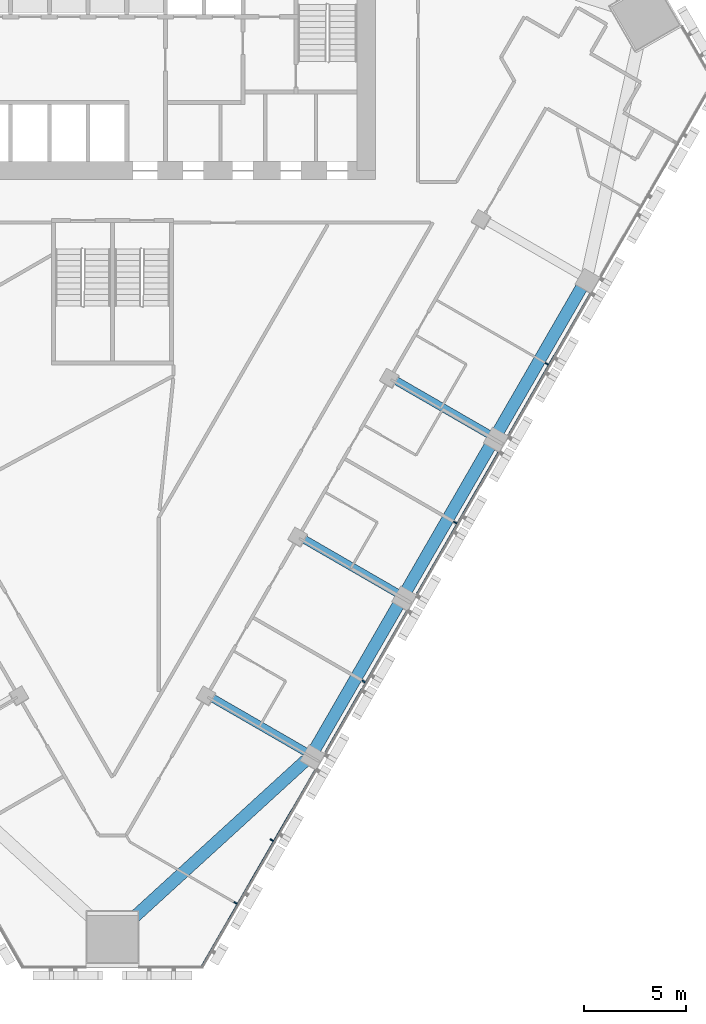
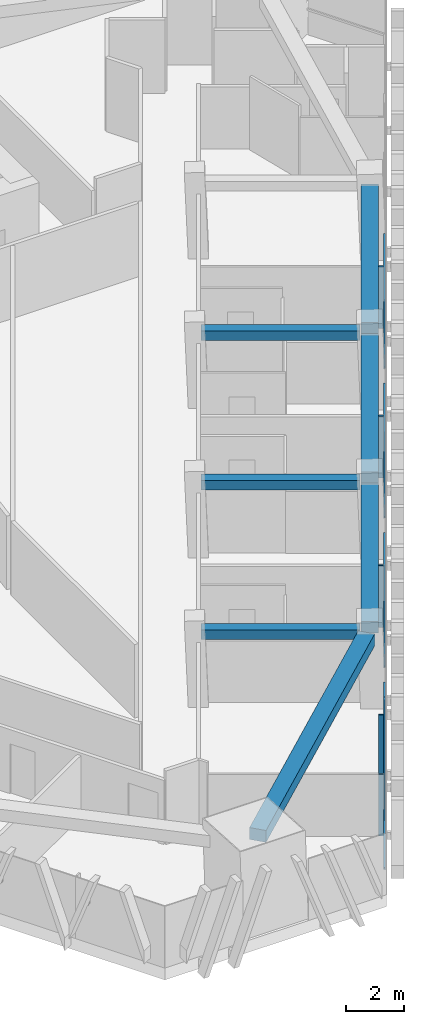
# One storey, part 4 of 16: 9 members, 7 beams, 1 element without a shape of its own.
"""IFC4 building model written with IfcOpenShell, lengths in metres."""

from ifc_helpers import new_model, si_unit, direction, frame, origin, origin_2d, place, context, subcontext, project, spatial, rectangle, extrude, material, layer, layer_set, material_profile, profile_set, type_object, element, aggregate, save


model = new_model("IFC4")

# Units and contexts
model_context = context("Model", 3, precision=1e-05, world=origin(), true_north=direction((0.0, 1.0)))
body_context = subcontext(model_context, "Body", "Model", "MODEL_VIEW")
ifc_project = project(units=[si_unit("LENGTHUNIT", "METRE"), si_unit("AREAUNIT", "SQUARE_METRE"), si_unit("VOLUMEUNIT", "CUBIC_METRE"), si_unit("PLANEANGLEUNIT", "RADIAN"), si_unit("MASSUNIT", "GRAM", prefix="KILO")], contexts=[model_context])

# Site, building, storey
site_placement = place(None, origin())
site = spatial("IfcSite", under=ifc_project, at=site_placement, CompositionType="ELEMENT")
building_placement = place(site_placement, origin())
building = spatial("IfcBuilding", under=site, at=building_placement, Name="Altiplano Prism Tower", CompositionType="ELEMENT")
storey_placement = place(building_placement, frame((0.0, 0.0, 81.0)))
storey = spatial("IfcBuildingStorey", under=building, at=storey_placement, Name="L20", CompositionType="ELEMENT", Elevation=81.0)

# Curtain wall, members
ifc_material_1 = material(Name="Aluminium and glass", Category="aluminium")
ifc_layer = layer(ifc_material_1, 0.280029296875)
ifc_layer_set = layer_set([ifc_layer], Name="Aluminium and glass")
curtain_wall_type = type_object("IfcCurtainWallType", Name="CW1 typical co-living unitised curtain wall", PredefinedType="NOTDEFINED", material=ifc_layer_set)
curtain_wall_placement = place(storey_placement, origin())
curtain_wall = element("IfcCurtainWall", 1, at=curtain_wall_placement, inside=storey, type_object=curtain_wall_type, Name="CW1 curtain wall south-east face L20", PredefinedType="NOTDEFINED")
ifc_material_2 = material(Name="Aluminium", Category="aluminium")
ifc_material_profile_1 = material_profile(ifc_material_2, rectangle(XDim=0.179931640625, YDim=0.06494140625, at=origin_2d()), Name="CW1 mullion 65 x 180")
ifc_profile_set_1 = profile_set([ifc_material_profile_1], Name="Aluminium")
member_type_1 = type_object("IfcMemberType", Name="CW1 mullion 65 x 180", PredefinedType="MULLION", material=ifc_profile_set_1)
member_1_placement = place(storey_placement, frame((91.040283203125, 56.998291015625, 0.0), z_axis=(0.0, 0.0, 1.0), x_axis=(-0.866025400215, 0.500000006182, 0.0)))
member_1 = element("IfcMember", 2, at=member_1_placement, type_object=member_type_1, Name="CW1 mullion", PredefinedType="MULLION", context=body_context, shape_type="SweptSolid", body=[
    extrude(rectangle(XDim=0.179931640625, YDim=0.06494140625, at=origin_2d()), origin(), (0.0, 0.0, 1.0), 2.60009765625),
])
member_2_placement = place(storey_placement, frame((92.822021484375, 60.084716796875, 0.0), z_axis=(0.0, 0.0, 1.0), x_axis=(-0.866025400215, 0.500000006182, 0.0)))
member_2 = element("IfcMember", 3, at=member_2_placement, type_object=member_type_1, Name="CW1 mullion", PredefinedType="MULLION", context=body_context, shape_type="SweptSolid", body=[
    extrude(rectangle(XDim=0.179931640625, YDim=0.06494140625, at=origin_2d()), origin(), (0.0, 0.0, 1.0), 2.60009765625),
])
member_3_placement = place(storey_placement, frame((97.322021484375, 67.87890625, 0.0), z_axis=(0.0, 0.0, 1.0), x_axis=(-0.866025400215, 0.500000006182, 0.0)))
member_3 = element("IfcMember", 4, at=member_3_placement, type_object=member_type_1, Name="CW1 mullion", PredefinedType="MULLION", context=body_context, shape_type="SweptSolid", body=[
    extrude(rectangle(XDim=0.179931640625, YDim=0.06494140625, at=origin_2d()), origin(), (0.0, 0.0, 1.0), 2.60009765625),
])
member_4_placement = place(storey_placement, frame((101.822021484375, 75.673095703125, 0.0), z_axis=(0.0, 0.0, 1.0), x_axis=(-0.866025400215, 0.500000006182, 0.0)))
member_4 = element("IfcMember", 5, at=member_4_placement, type_object=member_type_1, Name="CW1 mullion", PredefinedType="MULLION", context=body_context, shape_type="SweptSolid", body=[
    extrude(rectangle(XDim=0.179931640625, YDim=0.06494140625, at=origin_2d()), origin(), (0.0, 0.0, 1.0), 2.60009765625),
])
member_5_placement = place(storey_placement, frame((106.322021484375, 83.467529296875, 0.0), z_axis=(0.0, 0.0, 1.0), x_axis=(-0.866025400215, 0.500000006182, 0.0)))
member_5 = element("IfcMember", 6, at=member_5_placement, type_object=member_type_1, Name="CW1 mullion", PredefinedType="MULLION", context=body_context, shape_type="SweptSolid", body=[
    extrude(rectangle(XDim=0.179931640625, YDim=0.06494140625, at=origin_2d()), origin(), (0.0, 0.0, 1.0), 2.60009765625),
])
ifc_material_profile_2 = material_profile(ifc_material_2, rectangle(XDim=0.06005859375, YDim=0.080078125, at=origin_2d()), Name="CW1 transom 80 x 60")
ifc_profile_set_2 = profile_set([ifc_material_profile_2], Name="Aluminium")
member_type_2 = type_object("IfcMemberType", Name="CW1 transom 80 x 60", PredefinedType="USERDEFINED", material=ifc_profile_set_2)
member_6_placement = place(storey_placement, frame((89.362060546875, 53.851806640625, 1.10009765625), z_axis=(0.500003547166, 0.866023355818, 0.0), x_axis=(-0.866023355818, 0.500003547166, 0.0)))
member_6 = element("IfcMember", 7, at=member_6_placement, type_object=member_type_2, Name="CW1 transom", ObjectType="TRANSOM", PredefinedType="USERDEFINED", context=body_context, shape_type="SweptSolid", body=[
    extrude(rectangle(XDim=0.06005859375, YDim=0.080078125, at=origin_2d()), origin(), (0.0, 0.0, 1.0), 11.17724609375),
])
member_7_placement = place(storey_placement, frame((95.44091796875, 64.38037109375, 1.10009765625), z_axis=(0.499989486807, 0.866031473494, 0.0), x_axis=(-0.866031473494, 0.499989486807, 0.0)))
member_7 = element("IfcMember", 8, at=member_7_placement, type_object=member_type_2, Name="CW1 transom", ObjectType="TRANSOM", PredefinedType="USERDEFINED", context=body_context, shape_type="SweptSolid", body=[
    extrude(rectangle(XDim=0.06005859375, YDim=0.080078125, at=origin_2d()), origin(), (0.0, 0.0, 1.0), 8.019775390625),
])
member_8_placement = place(storey_placement, frame((99.94091796875, 72.174560546875, 1.10009765625), z_axis=(0.499976305243, 0.866039083527, 0.0), x_axis=(-0.866039083527, 0.499976305243, 0.0)))
member_8 = element("IfcMember", 9, at=member_8_placement, type_object=member_type_2, Name="CW1 transom", ObjectType="TRANSOM", PredefinedType="USERDEFINED", context=body_context, shape_type="SweptSolid", body=[
    extrude(rectangle(XDim=0.06005859375, YDim=0.080078125, at=origin_2d()), origin(), (0.0, 0.0, 1.0), 8.02001953125),
])
member_9_placement = place(storey_placement, frame((104.44091796875, 79.96875, 1.10009765625), z_axis=(0.499976305243, 0.866039083527, 0.0), x_axis=(-0.866039083527, 0.499976305243, 0.0)))
member_9 = element("IfcMember", 10, at=member_9_placement, type_object=member_type_2, Name="CW1 transom", ObjectType="TRANSOM", PredefinedType="USERDEFINED", context=body_context, shape_type="SweptSolid", body=[
    extrude(rectangle(XDim=0.06005859375, YDim=0.080078125, at=origin_2d()), origin(), (0.0, 0.0, 1.0), 8.02001953125),
])
aggregate(curtain_wall, [member_1, member_2, member_6, member_3, member_7, member_4, member_8, member_5, member_9])

# Beams
ifc_material_3 = material(Name="Concrete C60/75", Category="concrete")
ifc_material_profile_3 = material_profile(ifc_material_3, rectangle(XDim=0.60009765625, YDim=0.5, at=origin_2d()), Name="Edge beam 600x500")
ifc_profile_set_3 = profile_set([ifc_material_profile_3], Name="Concrete C60/75")
beam_type_1 = type_object("IfcBeamType", Name="Edge beam 600x500", PredefinedType="SPANDREL", material=ifc_profile_set_3)
beam_1_placement = place(storey_placement, frame((85.332275390625, 55.630615234375, 2.85009765625), z_axis=(0.738271950519, 0.674503170546, 0.0), x_axis=(-0.674503170546, 0.738271950519, 0.0)))
element("IfcBeam", 11, at=beam_1_placement, inside=storey, type_object=beam_type_1, Name="Edge beam M1-P21 L21", PredefinedType="SPANDREL", context=body_context, shape_type="SweptSolid", body=[
    extrude(rectangle(XDim=0.60009765625, YDim=0.5, at=origin_2d()), origin(), (0.0, 0.0, 1.0), 12.427490234375),
])
for number, where, z_axis, x_axis, name in (
    (12, (94.931884765625, 64.5361328125, 2.85009765625), (0.500014701701, 0.866016915587, 0.0), (-0.866016915587, 0.500014701701, 0.0), "Edge beam P21-P22 L21"),
    (13, (99.431884765625, 72.330322265625, 2.85009765625), (0.500014701701, 0.866016915587, 0.0), (-0.866016915587, 0.500014701701, 0.0), "Edge beam P22-P23 L21"),
    (14, (103.931884765625, 80.124755859375, 2.85009765625), (0.500014701701, 0.866016915587, 0.0), (-0.866016915587, 0.500014701701, 0.0), "Edge beam P23-P24 L21"),
):
    element("IfcBeam", number, at=place(storey_placement, frame(where, z_axis=z_axis, x_axis=x_axis)), inside=storey, type_object=beam_type_1, Name=name, PredefinedType="SPANDREL", context=body_context, shape_type="SweptSolid", body=[
        extrude(rectangle(XDim=0.60009765625, YDim=0.5, at=origin_2d()), origin(), (0.0, 0.0, 1.0), 8.340087890625),
    ])
ifc_material_profile_4 = material_profile(ifc_material_3, rectangle(XDim=0.39990234375, YDim=0.39990234375, at=origin_2d()), Name="Tie beam 400x400")
ifc_profile_set_4 = profile_set([ifc_material_profile_4], Name="Concrete C60/75")
beam_type_2 = type_object("IfcBeamType", Name="Tie beam 400x400", PredefinedType="BEAM", material=ifc_profile_set_4)
beam_2_placement = place(storey_placement, frame((89.726806640625, 67.160400390625, 2.89990234375), z_axis=(0.866012292785, -0.50002270823, 0.0), x_axis=(0.50002270823, 0.866012292785, 0.0)))
element("IfcBeam", 15, at=beam_2_placement, inside=storey, type_object=beam_type_2, Name="Tie beam I21 L21", PredefinedType="BEAM", context=body_context, shape_type="SweptSolid", body=[
    extrude(rectangle(XDim=0.39990234375, YDim=0.39990234375, at=origin_2d()), origin(), (0.0, 0.0, 1.0), 5.489990234375),
])
for number, where, z_axis, x_axis, name in (
    (16, (94.226806640625, 74.95458984375, 2.89990234375), (0.866031549307, -0.499989355492, 0.0), (0.499989355492, 0.866031549307, 0.0), "Tie beam I22 L21"),
    (17, (98.726806640625, 82.748779296875, 2.89990234375), (0.866031549307, -0.499989355492, 0.0), (0.499989355492, 0.866031549307, 0.0), "Tie beam I23 L21"),
):
    element("IfcBeam", number, at=place(storey_placement, frame(where, z_axis=z_axis, x_axis=x_axis)), inside=storey, type_object=beam_type_2, Name=name, PredefinedType="BEAM", context=body_context, shape_type="SweptSolid", body=[
        extrude(rectangle(XDim=0.39990234375, YDim=0.39990234375, at=origin_2d()), origin(), (0.0, 0.0, 1.0), 5.48974609375),
    ])

save(model, "model.ifc")
